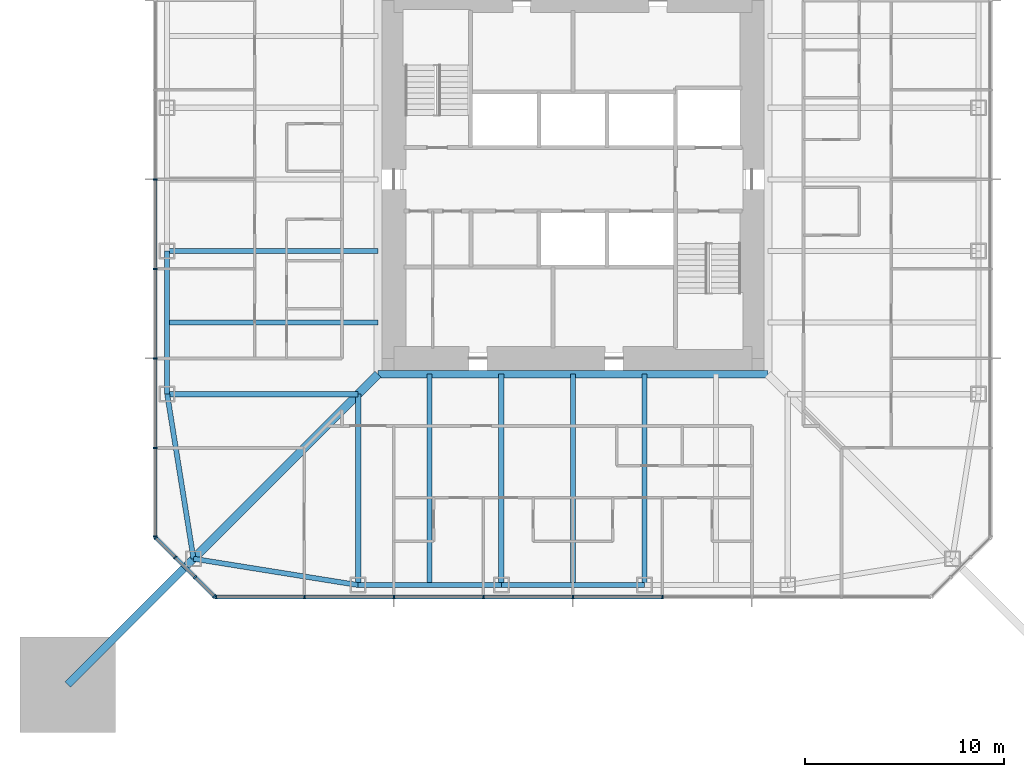
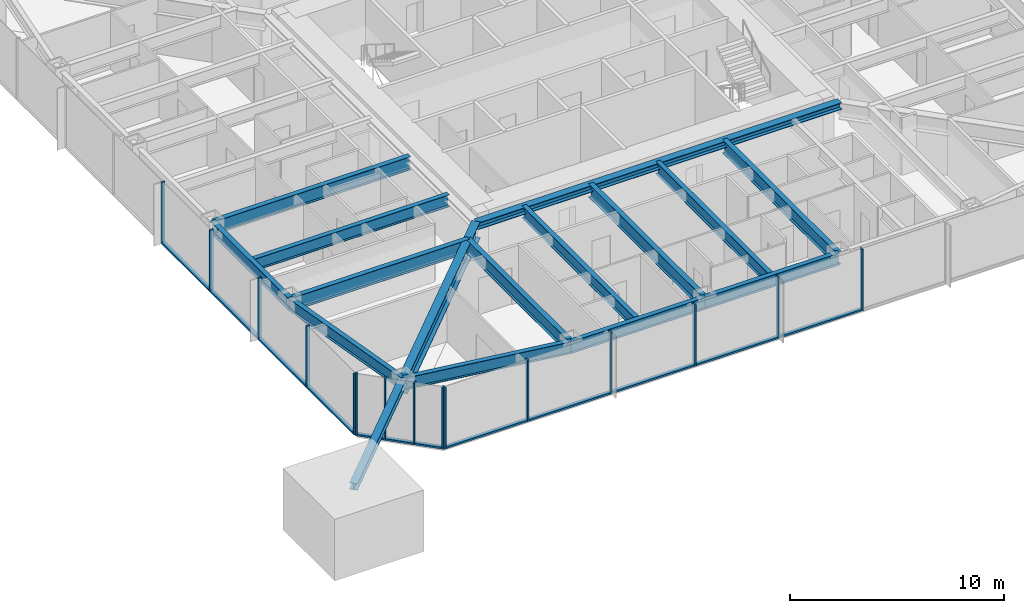
# One storey, part 3 of 25: 28 members, 15 beams, 3 elements without a shape of their own.
"""IFC4 building model written with IfcOpenShell, lengths in metres."""

from ifc_helpers import new_model, si_unit, direction, frame, origin, origin_2d, place, context, subcontext, project, spatial, rectangle, i_section, extrude, material, material_profile, profile_set, type_object, element, aggregate, save


model = new_model("IFC4")

# Units and contexts
model_context = context("Model", 3, precision=1e-05, world=origin(), true_north=direction((0.0, 1.0)))
body_context = subcontext(model_context, "Body", "Model", "MODEL_VIEW")
ifc_project = project(units=[si_unit("LENGTHUNIT", "METRE"), si_unit("AREAUNIT", "SQUARE_METRE"), si_unit("VOLUMEUNIT", "CUBIC_METRE"), si_unit("PLANEANGLEUNIT", "RADIAN"), si_unit("MASSUNIT", "GRAM", prefix="KILO")], contexts=[model_context])

# Site, building, storey
site_placement = place(None, origin())
site = spatial("IfcSite", under=ifc_project, at=site_placement, CompositionType="ELEMENT")
building_placement = place(site_placement, origin())
building = spatial("IfcBuilding", under=site, at=building_placement, Name="Iwan Alto Co-Living Towers", CompositionType="ELEMENT")
storey_placement = place(building_placement, frame((0.0, 0.0, 84.0)))
storey = spatial("IfcBuildingStorey", under=building, at=storey_placement, Name="L22", CompositionType="ELEMENT", Elevation=84.0)

# Curtain wall, members
ifc_material_1 = material(Name="Bronze aluminium unitised frame", Category="aluminium")
curtain_wall_type_1 = type_object("IfcCurtainWallType", Name="CURTAIN WALL CW-A", PredefinedType="NOTDEFINED", material=ifc_material_1)
curtain_wall_1_placement = place(storey_placement, origin())
curtain_wall_1 = element("IfcCurtainWall", 1, at=curtain_wall_1_placement, inside=storey, type_object=curtain_wall_type_1, Name="T1 curtain wall S L22", PredefinedType="NOTDEFINED")
ifc_material_2 = material(Name="Aluminium 6063-T6 bronze anodised", Category="aluminium")
ifc_material_profile_1 = material_profile(ifc_material_2, rectangle(XDim=0.199951171875, YDim=0.080078125, at=origin_2d()), Name="AL 80X200")
ifc_profile_set_1 = profile_set([ifc_material_profile_1], Name="Aluminium 6063-T6 bronze anodised")
member_type_1 = type_object("IfcMemberType", Name="CW-A MULLION 80X200", PredefinedType="MULLION", material=ifc_profile_set_1)
member_1_placement = place(storey_placement, frame((-17.9599609375, -21.0, 0.0), z_axis=(0.0, 0.0, 1.0), x_axis=(0.0, 1.0, 0.0)))
member_1 = element("IfcMember", 2, at=member_1_placement, type_object=member_type_1, Name="CW-A mullion 1", PredefinedType="MULLION", context=body_context, shape_type="SweptSolid", body=[
    extrude(rectangle(XDim=0.199951171875, YDim=0.080078125, at=origin_2d()), origin(), (0.0, 0.0, 1.0), 3.5),
])
member_2_placement = place(storey_placement, frame((-13.5, -21.0, 0.0), z_axis=(0.0, 0.0, 1.0), x_axis=(0.0, 1.0, 0.0)))
member_2 = element("IfcMember", 3, at=member_2_placement, type_object=member_type_1, Name="CW-A mullion 2", PredefinedType="MULLION", context=body_context, shape_type="SweptSolid", body=[
    extrude(rectangle(XDim=0.199951171875, YDim=0.080078125, at=origin_2d()), origin(), (0.0, 0.0, 1.0), 3.5),
])
member_3_placement = place(storey_placement, frame((-9.0, -21.0, 0.0), z_axis=(0.0, 0.0, 1.0), x_axis=(0.0, 1.0, 0.0)))
member_3 = element("IfcMember", 4, at=member_3_placement, type_object=member_type_1, Name="CW-A mullion 3", PredefinedType="MULLION", context=body_context, shape_type="SweptSolid", body=[
    extrude(rectangle(XDim=0.199951171875, YDim=0.080078125, at=origin_2d()), origin(), (0.0, 0.0, 1.0), 3.5),
])
member_4_placement = place(storey_placement, frame((-4.5, -21.0, 0.0), z_axis=(0.0, 0.0, 1.0), x_axis=(0.0, 1.0, 0.0)))
member_4 = element("IfcMember", 5, at=member_4_placement, type_object=member_type_1, Name="CW-A mullion 4", PredefinedType="MULLION", context=body_context, shape_type="SweptSolid", body=[
    extrude(rectangle(XDim=0.199951171875, YDim=0.080078125, at=origin_2d()), origin(), (0.0, 0.0, 1.0), 3.5),
])
member_5_placement = place(storey_placement, frame((0.0, -21.0, 0.0), z_axis=(0.0, 0.0, 1.0), x_axis=(0.0, 1.0, 0.0)))
member_5 = element("IfcMember", 6, at=member_5_placement, type_object=member_type_1, Name="CW-A mullion 5", PredefinedType="MULLION", context=body_context, shape_type="SweptSolid", body=[
    extrude(rectangle(XDim=0.199951171875, YDim=0.080078125, at=origin_2d()), origin(), (0.0, 0.0, 1.0), 3.5),
])
member_6_placement = place(storey_placement, frame((4.5, -21.0, 0.0), z_axis=(0.0, 0.0, 1.0), x_axis=(0.0, 1.0, 0.0)))
member_6 = element("IfcMember", 7, at=member_6_placement, type_object=member_type_1, Name="CW-A mullion 6", PredefinedType="MULLION", context=body_context, shape_type="SweptSolid", body=[
    extrude(rectangle(XDim=0.199951171875, YDim=0.080078125, at=origin_2d()), origin(), (0.0, 0.0, 1.0), 3.5),
])

curtain_wall_2_placement = place(storey_placement, origin())
curtain_wall_2 = element("IfcCurtainWall", 8, at=curtain_wall_2_placement, inside=storey, type_object=curtain_wall_type_1, Name="T1 curtain wall W L22", PredefinedType="NOTDEFINED")
member_7_placement = place(storey_placement, frame((-21.0, 0.0, 0.0), z_axis=(0.0, 0.0, 1.0), x_axis=(1.0, 0.0, 0.0)))
member_7 = element("IfcMember", 9, at=member_7_placement, type_object=member_type_1, Name="CW-A mullion 5", PredefinedType="MULLION", context=body_context, shape_type="SweptSolid", body=[
    extrude(rectangle(XDim=0.199951171875, YDim=0.080078125, at=origin_2d()), origin(), (0.0, 0.0, 1.0), 3.5),
])
member_8_placement = place(storey_placement, frame((-21.0, -4.5, 0.0), z_axis=(0.0, 0.0, 1.0), x_axis=(1.0, 0.0, 0.0)))
member_8 = element("IfcMember", 10, at=member_8_placement, type_object=member_type_1, Name="CW-A mullion 6", PredefinedType="MULLION", context=body_context, shape_type="SweptSolid", body=[
    extrude(rectangle(XDim=0.199951171875, YDim=0.080078125, at=origin_2d()), origin(), (0.0, 0.0, 1.0), 3.5),
])
member_9_placement = place(storey_placement, frame((-21.0, -9.0, 0.0), z_axis=(0.0, 0.0, 1.0), x_axis=(1.0, 0.0, 0.0)))
member_9 = element("IfcMember", 11, at=member_9_placement, type_object=member_type_1, Name="CW-A mullion 7", PredefinedType="MULLION", context=body_context, shape_type="SweptSolid", body=[
    extrude(rectangle(XDim=0.199951171875, YDim=0.080078125, at=origin_2d()), origin(), (0.0, 0.0, 1.0), 3.5),
])
member_10_placement = place(storey_placement, frame((-21.0, -13.5, 0.0), z_axis=(0.0, 0.0, 1.0), x_axis=(1.0, 0.0, 0.0)))
member_10 = element("IfcMember", 12, at=member_10_placement, type_object=member_type_1, Name="CW-A mullion 8", PredefinedType="MULLION", context=body_context, shape_type="SweptSolid", body=[
    extrude(rectangle(XDim=0.199951171875, YDim=0.080078125, at=origin_2d()), origin(), (0.0, 0.0, 1.0), 3.5),
])
member_11_placement = place(storey_placement, frame((-21.0, -17.9599609375, 0.0), z_axis=(0.0, 0.0, 1.0), x_axis=(1.0, 0.0, 0.0)))
member_11 = element("IfcMember", 13, at=member_11_placement, type_object=member_type_1, Name="CW-A mullion 9", PredefinedType="MULLION", context=body_context, shape_type="SweptSolid", body=[
    extrude(rectangle(XDim=0.199951171875, YDim=0.080078125, at=origin_2d()), origin(), (0.0, 0.0, 1.0), 3.5),
])

# Member
ifc_material_3 = material(Name="Aluminium 6063-T6 bronze anodised", Category="aluminium")
ifc_material_profile_2 = material_profile(ifc_material_3, rectangle(XDim=0.199951171875, YDim=0.10009765625, at=origin_2d()), Name="AL 200X100")
ifc_profile_set_2 = profile_set([ifc_material_profile_2], Name="Aluminium 6063-T6 bronze anodised")
member_type_2 = type_object("IfcMemberType", Name="CW-A TRANSOM 200X100", PredefinedType="USERDEFINED", material=ifc_profile_set_2)
member_12_placement = place(storey_placement, frame((-17.919921875, -21.0, 0.050048828125), z_axis=(1.0, 0.0, 0.0), x_axis=(0.0, 1.0, 0.0)))
member_12 = element("IfcMember", 14, at=member_12_placement, type_object=member_type_2, Name="CW-A transom 1.1", ObjectType="TRANSOM", PredefinedType="USERDEFINED", context=body_context, shape_type="SweptSolid", body=[
    extrude(rectangle(XDim=0.199951171875, YDim=0.10009765625, at=origin_2d()), origin(), (0.0, 0.0, 1.0), 4.3798828125),
])

member_13_placement = place(storey_placement, frame((-13.4599609375, -21.0, 0.050048828125), z_axis=(1.0, 0.0, 0.0), x_axis=(0.0, 1.0, 0.0)))
member_13 = element("IfcMember", 15, at=member_13_placement, type_object=member_type_2, Name="CW-A transom 2.1", ObjectType="TRANSOM", PredefinedType="USERDEFINED", context=body_context, shape_type="SweptSolid", body=[
    extrude(rectangle(XDim=0.199951171875, YDim=0.10009765625, at=origin_2d()), origin(), (0.0, 0.0, 1.0), 4.419921875),
])

member_14_placement = place(storey_placement, frame((-8.9599609375, -21.0, 0.050048828125), z_axis=(1.0, 0.0, 0.0), x_axis=(0.0, 1.0, 0.0)))
member_14 = element("IfcMember", 16, at=member_14_placement, type_object=member_type_2, Name="CW-A transom 3.1", ObjectType="TRANSOM", PredefinedType="USERDEFINED", context=body_context, shape_type="SweptSolid", body=[
    extrude(rectangle(XDim=0.199951171875, YDim=0.10009765625, at=origin_2d()), origin(), (0.0, 0.0, 1.0), 4.419921875),
])

member_15_placement = place(storey_placement, frame((-4.4599609375, -21.0, 0.050048828125), z_axis=(1.0, 0.0, 0.0), x_axis=(0.0, 1.0, 0.0)))
member_15 = element("IfcMember", 17, at=member_15_placement, type_object=member_type_2, Name="CW-A transom 4.1", ObjectType="TRANSOM", PredefinedType="USERDEFINED", context=body_context, shape_type="SweptSolid", body=[
    extrude(rectangle(XDim=0.199951171875, YDim=0.10009765625, at=origin_2d()), origin(), (0.0, 0.0, 1.0), 4.419921875),
])

member_16_placement = place(storey_placement, frame((0.0400390625, -21.0, 0.050048828125), z_axis=(1.0, 0.0, 0.0), x_axis=(0.0, 1.0, 0.0)))
member_16 = element("IfcMember", 18, at=member_16_placement, type_object=member_type_2, Name="CW-A transom 5.1", ObjectType="TRANSOM", PredefinedType="USERDEFINED", context=body_context, shape_type="SweptSolid", body=[
    extrude(rectangle(XDim=0.199951171875, YDim=0.10009765625, at=origin_2d()), origin(), (0.0, 0.0, 1.0), 4.419921875),
])

aggregate(curtain_wall_1, [member_1, member_2, member_3, member_4, member_5, member_6, member_12, member_13, member_14, member_15, member_16])

member_17_placement = place(storey_placement, frame((-21.0, -0.0400390625, 0.050048828125), z_axis=(0.0, -1.0, 0.0), x_axis=(1.0, 0.0, 0.0)))
member_17 = element("IfcMember", 19, at=member_17_placement, type_object=member_type_2, Name="CW-A transom 5.1", ObjectType="TRANSOM", PredefinedType="USERDEFINED", context=body_context, shape_type="SweptSolid", body=[
    extrude(rectangle(XDim=0.199951171875, YDim=0.10009765625, at=origin_2d()), origin(), (0.0, 0.0, 1.0), 4.419921875),
])

member_18_placement = place(storey_placement, frame((-21.0, -4.5400390625, 0.050048828125), z_axis=(0.0, -1.0, 0.0), x_axis=(1.0, 0.0, 0.0)))
member_18 = element("IfcMember", 20, at=member_18_placement, type_object=member_type_2, Name="CW-A transom 6.1", ObjectType="TRANSOM", PredefinedType="USERDEFINED", context=body_context, shape_type="SweptSolid", body=[
    extrude(rectangle(XDim=0.199951171875, YDim=0.10009765625, at=origin_2d()), origin(), (0.0, 0.0, 1.0), 4.419921875),
])

member_19_placement = place(storey_placement, frame((-21.0, -9.0400390625, 0.050048828125), z_axis=(0.0, -1.0, 0.0), x_axis=(1.0, 0.0, 0.0)))
member_19 = element("IfcMember", 21, at=member_19_placement, type_object=member_type_2, Name="CW-A transom 7.1", ObjectType="TRANSOM", PredefinedType="USERDEFINED", context=body_context, shape_type="SweptSolid", body=[
    extrude(rectangle(XDim=0.199951171875, YDim=0.10009765625, at=origin_2d()), origin(), (0.0, 0.0, 1.0), 4.419921875),
])

member_20_placement = place(storey_placement, frame((-21.0, -13.5400390625, 0.050048828125), z_axis=(0.0, -1.0, 0.0), x_axis=(1.0, 0.0, 0.0)))
member_20 = element("IfcMember", 22, at=member_20_placement, type_object=member_type_2, Name="CW-A transom 8.1", ObjectType="TRANSOM", PredefinedType="USERDEFINED", context=body_context, shape_type="SweptSolid", body=[
    extrude(rectangle(XDim=0.199951171875, YDim=0.10009765625, at=origin_2d()), origin(), (0.0, 0.0, 1.0), 4.3798828125),
])

aggregate(curtain_wall_2, [member_7, member_8, member_9, member_10, member_11, member_17, member_18, member_19, member_20])

# Curtain wall, members
ifc_material_4 = material(Name="Bronze aluminium unitised frame", Category="aluminium")
curtain_wall_type_2 = type_object("IfcCurtainWallType", Name="CURTAIN WALL CW-B", PredefinedType="NOTDEFINED", material=ifc_material_4)
curtain_wall_3_placement = place(storey_placement, origin())
curtain_wall_3 = element("IfcCurtainWall", 23, at=curtain_wall_3_placement, inside=storey, type_object=curtain_wall_type_2, Name="T1 chamfer curtain wall SW L22", PredefinedType="NOTDEFINED")
ifc_material_5 = material(Name="Aluminium 6063-T6 bronze anodised", Category="aluminium")
ifc_material_profile_3 = material_profile(ifc_material_5, rectangle(XDim=0.199951171875, YDim=0.080078125, at=origin_2d()), Name="AL 80X200")
ifc_profile_set_3 = profile_set([ifc_material_profile_3], Name="Aluminium 6063-T6 bronze anodised")
member_type_3 = type_object("IfcMemberType", Name="CW-B MULLION 80X200", PredefinedType="MULLION", material=ifc_profile_set_3)
member_21_placement = place(storey_placement, frame((-20.9716796875, -18.0283203125, 0.0), z_axis=(0.0, 0.0, 1.0), x_axis=(0.707106781187, 0.707106781187, 0.0)))
member_21 = element("IfcMember", 24, at=member_21_placement, type_object=member_type_3, Name="CW-B mullion 1", PredefinedType="MULLION", context=body_context, shape_type="SweptSolid", body=[
    extrude(rectangle(XDim=0.199951171875, YDim=0.080078125, at=origin_2d()), origin(), (0.0, 0.0, 1.0), 3.5),
])
member_22_placement = place(storey_placement, frame((-20.0, -19.0, 0.0), z_axis=(0.0, 0.0, 1.0), x_axis=(0.707106781187, 0.707106781187, 0.0)))
member_22 = element("IfcMember", 25, at=member_22_placement, type_object=member_type_3, Name="CW-B mullion 2", PredefinedType="MULLION", context=body_context, shape_type="SweptSolid", body=[
    extrude(rectangle(XDim=0.199951171875, YDim=0.080078125, at=origin_2d()), origin(), (0.0, 0.0, 1.0), 3.5),
])
member_23_placement = place(storey_placement, frame((-19.0, -20.0, 0.0), z_axis=(0.0, 0.0, 1.0), x_axis=(0.707106781187, 0.707106781187, 0.0)))
member_23 = element("IfcMember", 26, at=member_23_placement, type_object=member_type_3, Name="CW-B mullion 3", PredefinedType="MULLION", context=body_context, shape_type="SweptSolid", body=[
    extrude(rectangle(XDim=0.199951171875, YDim=0.080078125, at=origin_2d()), origin(), (0.0, 0.0, 1.0), 3.5),
])
member_24_placement = place(storey_placement, frame((-18.0283203125, -20.9716796875, 0.0), z_axis=(0.0, 0.0, 1.0), x_axis=(0.707106781187, 0.707106781187, 0.0)))
member_24 = element("IfcMember", 27, at=member_24_placement, type_object=member_type_3, Name="CW-B mullion 4", PredefinedType="MULLION", context=body_context, shape_type="SweptSolid", body=[
    extrude(rectangle(XDim=0.199951171875, YDim=0.080078125, at=origin_2d()), origin(), (0.0, 0.0, 1.0), 3.5),
])
ifc_material_6 = material(Name="Aluminium 6063-T6 bronze anodised", Category="aluminium")
ifc_material_profile_4 = material_profile(ifc_material_6, rectangle(XDim=0.199951171875, YDim=0.10009765625, at=origin_2d()), Name="AL 200X100")
ifc_profile_set_4 = profile_set([ifc_material_profile_4], Name="Aluminium 6063-T6 bronze anodised")
member_type_4 = type_object("IfcMemberType", Name="CW-B TRANSOM 200X100", PredefinedType="USERDEFINED", material=ifc_profile_set_4)
member_25_placement = place(storey_placement, frame((-20.943359375, -18.056640625, 0.050048828125), z_axis=(0.707106781187, -0.707106781187, 0.0), x_axis=(0.707106781187, 0.707106781187, 0.0)))
member_25 = element("IfcMember", 28, at=member_25_placement, type_object=member_type_4, Name="CW-B transom 1.1", ObjectType="TRANSOM", PredefinedType="USERDEFINED", context=body_context, shape_type="SweptSolid", body=[
    extrude(rectangle(XDim=0.199951171875, YDim=0.10009765625, at=origin_2d()), origin(), (0.0, 0.0, 1.0), 1.2939453125),
])
member_26_placement = place(storey_placement, frame((-19.9716796875, -19.0283203125, 0.050048828125), z_axis=(0.707106781187, -0.707106781187, 0.0), x_axis=(0.707106781187, 0.707106781187, 0.0)))
member_26 = element("IfcMember", 29, at=member_26_placement, type_object=member_type_4, Name="CW-B transom 2.1", ObjectType="TRANSOM", PredefinedType="USERDEFINED", context=body_context, shape_type="SweptSolid", body=[
    extrude(rectangle(XDim=0.199951171875, YDim=0.10009765625, at=origin_2d()), origin(), (0.0, 0.0, 1.0), 1.334228515625),
])
member_27_placement = place(storey_placement, frame((-18.9716796875, -20.0283203125, 0.050048828125), z_axis=(0.707106781187, -0.707106781187, 0.0), x_axis=(0.707106781187, 0.707106781187, 0.0)))
member_27 = element("IfcMember", 30, at=member_27_placement, type_object=member_type_4, Name="CW-B transom 3.1", ObjectType="TRANSOM", PredefinedType="USERDEFINED", context=body_context, shape_type="SweptSolid", body=[
    extrude(rectangle(XDim=0.199951171875, YDim=0.10009765625, at=origin_2d()), origin(), (0.0, 0.0, 1.0), 1.2939453125),
])
aggregate(curtain_wall_3, [member_21, member_22, member_23, member_24, member_25, member_26, member_27])

# Beams
ifc_material_7 = material(Name="Steel ASTM A992 Gr 50", Category="steel")
ifc_material_profile_5 = material_profile(ifc_material_7, i_section(OverallWidth=0.398681640625, OverallDepth=0.385986328125, WebThickness=0.02099609375, FlangeThickness=0.033203125, at=origin_2d()), Name="W14X176")
ifc_profile_set_5 = profile_set([ifc_material_profile_5], Name="Steel ASTM A992 Gr 50")
beam_type_1 = type_object("IfcBeamType", Name="T1 CORE LEDGER BEAM W14X176", PredefinedType="BEAM", material=ifc_profile_set_5)
beam_1_placement = place(storey_placement, frame((-9.79931640625, -9.79931640625, 3.076904296875), z_axis=(1.0, 0.0, 0.0), x_axis=(0.0, 1.0, 0.0)))
element("IfcBeam", 31, at=beam_1_placement, inside=storey, type_object=beam_type_1, Name="T1 core ledger beam S L23", PredefinedType="BEAM", context=body_context, shape_type="SweptSolid", body=[
    extrude(i_section(OverallWidth=0.398681640625, OverallDepth=0.385986328125, WebThickness=0.02099609375, FlangeThickness=0.033203125, at=origin_2d()), origin(), (0.0, 0.0, 1.0), 19.5986328125),
])
ifc_material_8 = material(Name="Steel ASTM A992 Gr 50", Category="steel")
ifc_material_profile_6 = material_profile(ifc_material_8, i_section(OverallWidth=0.419189453125, OverallDepth=0.927001953125, WebThickness=0.019287109375, FlangeThickness=0.031982421875, at=origin_2d()), Name="W36X231")
ifc_profile_set_6 = profile_set([ifc_material_profile_6], Name="Steel ASTM A992 Gr 50")
beam_type_2 = type_object("IfcBeamType", Name="T1 CORNER GIRDER W36X231", PredefinedType="BEAM", material=ifc_profile_set_6)
beam_2_placement = place(storey_placement, frame((-19.07568359375, -19.07568359375, 2.806396484375), z_axis=(0.707106781187, 0.707106781187, 0.0), x_axis=(-0.707106781187, 0.707106781187, 0.0)))
element("IfcBeam", 32, at=beam_2_placement, inside=storey, type_object=beam_type_2, Name="T1 corner girder CSW L23", PredefinedType="BEAM", context=body_context, shape_type="SweptSolid", body=[
    extrude(i_section(OverallWidth=0.419189453125, OverallDepth=0.927001953125, WebThickness=0.019287109375, FlangeThickness=0.031982421875, at=origin_2d()), origin(), (0.0, 0.0, 1.0), 13.11865234375),
])
ifc_material_9 = material(Name="Steel ASTM A992 Gr 50", Category="steel")
ifc_material_profile_7 = material_profile(ifc_material_9, i_section(OverallWidth=0.25390625, OverallDepth=0.683349609375, WebThickness=0.012451171875, FlangeThickness=0.018798828125, at=origin_2d()), Name="W27X94")
ifc_profile_set_7 = profile_set([ifc_material_profile_7], Name="Steel ASTM A992 Gr 50")
beam_type_3 = type_object("IfcBeamType", Name="T1 EDGE BEAM W27X94", PredefinedType="BEAM", material=ifc_profile_set_7)
beam_3_placement = place(storey_placement, frame((-19.07568359375, -19.07568359375, 2.928466796875), z_axis=(0.987438450439, -0.158004134737, 0.0), x_axis=(0.158004134737, 0.987438450439, 0.0)))
element("IfcBeam", 33, at=beam_3_placement, inside=storey, type_object=beam_type_3, Name="T1 edge beam CSW L23", PredefinedType="BEAM", context=body_context, shape_type="SweptSolid", body=[
    extrude(i_section(OverallWidth=0.25390625, OverallDepth=0.683349609375, WebThickness=0.012451171875, FlangeThickness=0.018798828125, at=origin_2d()), origin(), (0.0, 0.0, 1.0), 8.380859375),
])
beam_4_placement = place(storey_placement, frame((-10.800048828125, -20.39990234375, 2.928466796875), z_axis=(1.0, 0.0, 0.0), x_axis=(0.0, 1.0, 0.0)))
element("IfcBeam", 34, at=beam_4_placement, inside=storey, type_object=beam_type_3, Name="T1 edge beam S1 L23", PredefinedType="BEAM", context=body_context, shape_type="SweptSolid", body=[
    extrude(i_section(OverallWidth=0.25390625, OverallDepth=0.683349609375, WebThickness=0.012451171875, FlangeThickness=0.018798828125, at=origin_2d()), origin(), (0.0, 0.0, 1.0), 7.199951171875),
])
beam_5_placement = place(storey_placement, frame((-3.60009765625, -20.39990234375, 2.928466796875), z_axis=(1.0, 0.0, 0.0), x_axis=(0.0, 1.0, 0.0)))
element("IfcBeam", 35, at=beam_5_placement, inside=storey, type_object=beam_type_3, Name="T1 edge beam S2 L23", PredefinedType="BEAM", context=body_context, shape_type="SweptSolid", body=[
    extrude(i_section(OverallWidth=0.25390625, OverallDepth=0.683349609375, WebThickness=0.012451171875, FlangeThickness=0.018798828125, at=origin_2d()), origin(), (0.0, 0.0, 1.0), 7.2001953125),
])
beam_6_placement = place(storey_placement, frame((-20.39990234375, -3.60009765625, 2.928466796875), z_axis=(0.0, -1.0, 0.0), x_axis=(1.0, 0.0, 0.0)))
element("IfcBeam", 36, at=beam_6_placement, inside=storey, type_object=beam_type_3, Name="T1 edge beam W3 L23", PredefinedType="BEAM", context=body_context, shape_type="SweptSolid", body=[
    extrude(i_section(OverallWidth=0.25390625, OverallDepth=0.683349609375, WebThickness=0.012451171875, FlangeThickness=0.018798828125, at=origin_2d()), origin(), (0.0, 0.0, 1.0), 7.199951171875),
])
beam_7_placement = place(storey_placement, frame((-20.39990234375, -10.800048828125, 2.928466796875), z_axis=(0.158004134737, -0.987438450439, 0.0), x_axis=(0.987438450439, 0.158004134737, 0.0)))
element("IfcBeam", 37, at=beam_7_placement, inside=storey, type_object=beam_type_3, Name="T1 edge beam W4 L23", PredefinedType="BEAM", context=body_context, shape_type="SweptSolid", body=[
    extrude(i_section(OverallWidth=0.25390625, OverallDepth=0.683349609375, WebThickness=0.012451171875, FlangeThickness=0.018798828125, at=origin_2d()), origin(), (0.0, 0.0, 1.0), 8.380859375),
])

# Member
ifc_material_10 = material(Name="Steel ASTM A992 Gr 50", Category="steel")
ifc_material_profile_8 = material_profile(ifc_material_10, i_section(OverallWidth=0.393798828125, OverallDepth=0.3759765625, WebThickness=0.017333984375, FlangeThickness=0.027587890625, at=origin_2d()), Name="W14X145")
ifc_profile_set_8 = profile_set([ifc_material_profile_8], Name="Steel ASTM A992 Gr 50")
member_type_5 = type_object("IfcMemberType", Name="T1 MEGA COLUMN FLOOR TIE W14X145", PredefinedType="STRUT", material=ifc_profile_set_8)
member_28_placement = place(storey_placement, frame((-25.39990234375, -25.39990234375, 3.08203125), z_axis=(0.707106781187, 0.707106781187, 0.0), x_axis=(-0.707106781187, 0.707106781187, 0.0)))
element("IfcMember", 38, at=member_28_placement, inside=storey, type_object=member_type_5, Name="T1 mega column floor tie SW L23", PredefinedType="STRUT", context=body_context, shape_type="SweptSolid", body=[
    extrude(i_section(OverallWidth=0.393798828125, OverallDepth=0.3759765625, WebThickness=0.017333984375, FlangeThickness=0.027587890625, at=origin_2d()), origin(), (0.0, 0.0, 1.0), 8.94384765625),
])

# Beams
ifc_material_11 = material(Name="Steel ASTM A992 Gr 50", Category="steel")
ifc_material_profile_9 = material_profile(ifc_material_11, i_section(OverallWidth=0.2666015625, OverallDepth=0.761962890625, WebThickness=0.014404296875, FlangeThickness=0.021484375, at=origin_2d()), Name="W30X116")
ifc_profile_set_9 = profile_set([ifc_material_profile_9], Name="Steel ASTM A992 Gr 50")
beam_type_4 = type_object("IfcBeamType", Name="T1 RADIAL BEAM W30X116", PredefinedType="BEAM", material=ifc_profile_set_9)
beam_8_placement = place(storey_placement, frame((-10.800048828125, -20.39990234375, 2.888916015625), z_axis=(0.0, 1.0, 0.0), x_axis=(-1.0, 0.0, 0.0)))
element("IfcBeam", 39, at=beam_8_placement, inside=storey, type_object=beam_type_4, Name="T1 radial beam S1 L23", PredefinedType="BEAM", context=body_context, shape_type="SweptSolid", body=[
    extrude(i_section(OverallWidth=0.2666015625, OverallDepth=0.761962890625, WebThickness=0.014404296875, FlangeThickness=0.021484375, at=origin_2d()), origin(), (0.0, 0.0, 1.0), 9.599853515625),
])
for number, where, z_axis, x_axis, name in (
    (40, (-3.60009765625, -20.39990234375, 2.888916015625), (0.0, 1.0, 0.0), (-1.0, 0.0, 0.0), "T1 radial beam S2 L23"),
    (41, (3.60009765625, -20.39990234375, 2.888916015625), (0.0, 1.0, 0.0), (-1.0, 0.0, 0.0), "T1 radial beam S3 L23"),
    (42, (-20.39990234375, -3.60009765625, 2.888916015625), (1.0, 0.0, 0.0), (0.0, 1.0, 0.0), "T1 radial beam W3 L23"),
):
    element("IfcBeam", number, at=place(storey_placement, frame(where, z_axis=z_axis, x_axis=x_axis)), inside=storey, type_object=beam_type_4, Name=name, PredefinedType="BEAM", context=body_context, shape_type="SweptSolid", body=[
        extrude(i_section(OverallWidth=0.2666015625, OverallDepth=0.761962890625, WebThickness=0.014404296875, FlangeThickness=0.021484375, at=origin_2d()), origin(), (0.0, 0.0, 1.0), 10.6005859375),
    ])
beam_9_placement = place(storey_placement, frame((-20.39990234375, -10.800048828125, 2.888916015625), z_axis=(1.0, 0.0, 0.0), x_axis=(0.0, 1.0, 0.0)))
element("IfcBeam", 43, at=beam_9_placement, inside=storey, type_object=beam_type_4, Name="T1 radial beam W4 L23", PredefinedType="BEAM", context=body_context, shape_type="SweptSolid", body=[
    extrude(i_section(OverallWidth=0.2666015625, OverallDepth=0.761962890625, WebThickness=0.014404296875, FlangeThickness=0.021484375, at=origin_2d()), origin(), (0.0, 0.0, 1.0), 9.599853515625),
])
ifc_material_12 = material(Name="Steel ASTM A992 Gr 50", Category="steel")
ifc_material_profile_10 = material_profile(ifc_material_12, i_section(OverallWidth=0.25390625, OverallDepth=0.683349609375, WebThickness=0.012451171875, FlangeThickness=0.018798828125, at=origin_2d()), Name="W27X94")
ifc_profile_set_10 = profile_set([ifc_material_profile_10], Name="Steel ASTM A992 Gr 50")
beam_type_5 = type_object("IfcBeamType", Name="T1 SECONDARY BEAM W27X94", PredefinedType="JOIST", material=ifc_profile_set_10)
for number, where, z_axis, x_axis, name in (
    (44, (-7.199951171875, -20.39990234375, 2.928466796875), (0.0, 1.0, 0.0), (-1.0, 0.0, 0.0), "T1 secondary beam S1 L23"),
    (45, (0.0, -20.39990234375, 2.928466796875), (0.0, 1.0, 0.0), (-1.0, 0.0, 0.0), "T1 secondary beam S2 L23"),
    (46, (-20.39990234375, -7.199951171875, 2.928466796875), (1.0, 0.0, 0.0), (0.0, 1.0, 0.0), "T1 secondary beam W3 L23"),
):
    element("IfcBeam", number, at=place(storey_placement, frame(where, z_axis=z_axis, x_axis=x_axis)), inside=storey, type_object=beam_type_5, Name=name, PredefinedType="JOIST", context=body_context, shape_type="SweptSolid", body=[
        extrude(i_section(OverallWidth=0.25390625, OverallDepth=0.683349609375, WebThickness=0.012451171875, FlangeThickness=0.018798828125, at=origin_2d()), origin(), (0.0, 0.0, 1.0), 10.6005859375),
    ])

save(model, "model.ifc")
